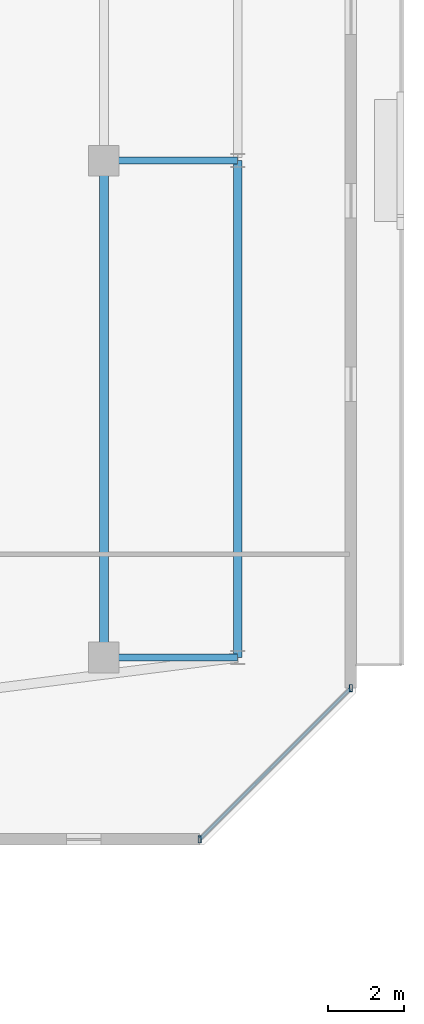
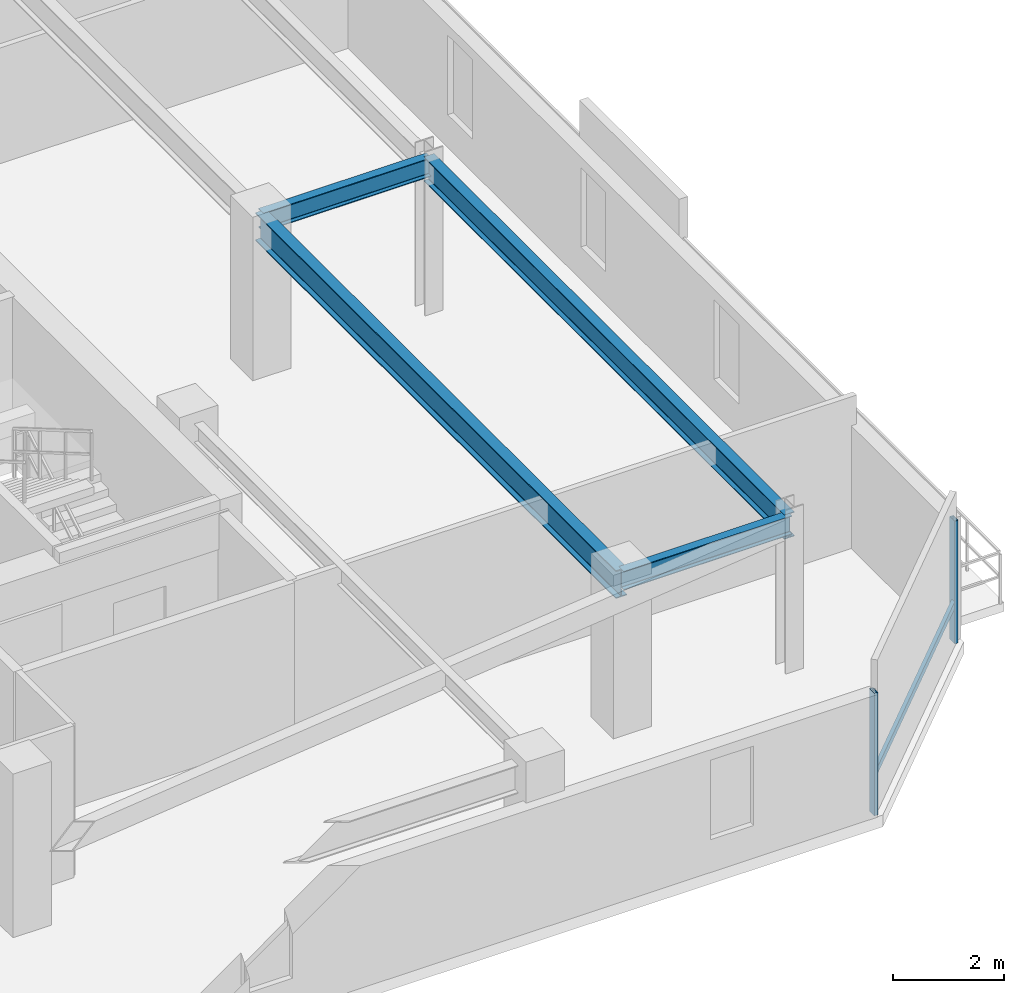
# One storey, part 16 of 34: 4 beams, 3 members, 1 element without a shape of its own.
"""IFC4 building model written with IfcOpenShell, lengths in metres."""

import ifcopenshell
import ifcopenshell.guid

model = None  # the IFC model being written
_history = None  # IfcOwnerHistory: only IFC2X3 demands one
_inside = {}  # id of a spatial element -> (the spatial element, [elements in it])
_under = {}  # id of a project, library or spatial element -> (it, [spatial elements below it])
_declared = {}  # id of a project -> (the project, [libraries it declares])
_typed = {}  # id of a type object -> (the type object, [elements of that type])
_made_of = {}  # id of a material, layer set ... -> (it, [elements and type objects made of it])


def new_model(schema):
    """Start an empty IFC model of exactly this schema.

    Asked for "IFC4X3", IfcOpenShell would pick the latest addendum, in which some entities
    have other attributes; the version numbers below select the first issue.
    IFC2X3 requires an IfcOwnerHistory on every rooted entity: one is made here for all.
    """
    global model, _history
    if schema == "IFC4X3":
        model = ifcopenshell.file(schema_version=(4, 3, 0, 0))
    else:
        model = ifcopenshell.file(schema=schema)
    _inside.clear()
    _under.clear()
    _declared.clear()
    _typed.clear()
    _made_of.clear()
    _history = None
    if model.schema == "IFC2X3":
        org = make("IfcOrganization", Name="unknown")
        user = make(
            "IfcPersonAndOrganization",
            ThePerson=make("IfcPerson", FamilyName="unknown"),
            TheOrganization=org,
        )
        app = make(
            "IfcApplication",
            ApplicationDeveloper=org,
            Version="unknown",
            ApplicationFullName="unknown",
            ApplicationIdentifier="unknown",
        )
        _history = make(
            "IfcOwnerHistory",
            OwningUser=user,
            OwningApplication=app,
            ChangeAction="ADDED",
            CreationDate=0,
        )
    return model


def make(cls, **values):
    """One entity of the class cls with the attributes given. An attribute that is None is left unset."""
    return model.create_entity(
        cls, **{name: value for name, value in values.items() if value is not None}
    )


def rooted(cls, **values):
    """An entity with a GlobalId (a new one), such as an element, a storey or a relation."""
    return make(cls, GlobalId=ifcopenshell.guid.new(), OwnerHistory=_history, **values)


def si_unit(unit_type, name, prefix=None):
    """IfcSIUnit, for example si_unit("LENGTHUNIT", "METRE", prefix="MILLI")."""
    return make("IfcSIUnit", UnitType=unit_type, Prefix=prefix, Name=name)


def assignment(units):
    """IfcUnitAssignment: the units of a project."""
    return None if units is None else make("IfcUnitAssignment", Units=units)


def point(xyz):
    """IfcCartesianPoint."""
    return None if xyz is None else make("IfcCartesianPoint", Coordinates=xyz)


def direction(xyz):
    """IfcDirection."""
    return None if xyz is None else make("IfcDirection", DirectionRatios=xyz)


def frame(location, z_axis=None, x_axis=None):
    """IfcAxis2Placement3D, a coordinate frame: its origin and axes. An axis left out is left unset."""
    return make(
        "IfcAxis2Placement3D",
        Location=point(location),
        Axis=direction(z_axis),
        RefDirection=direction(x_axis),
    )


def frame_2d(location, x_axis=None):
    """IfcAxis2Placement2D, a coordinate frame in the plane: its origin and x axis."""
    return make(
        "IfcAxis2Placement2D", Location=point(location), RefDirection=direction(x_axis)
    )


def origin():
    """The frame at (0, 0, 0) with its axes left unset."""
    return frame((0.0, 0.0, 0.0))


def origin_2d():
    """The frame at (0, 0) in the plane with its x axis left unset."""
    return frame_2d((0.0, 0.0))


def place(relative_to, where):
    """IfcLocalPlacement: puts the frame where relative to a parent placement (None: the world)."""
    return make(
        "IfcLocalPlacement", PlacementRelTo=relative_to, RelativePlacement=where
    )


def context(
    kind, dimensions, precision=None, world=None, true_north=None, identifier=None
):
    """IfcGeometricRepresentationContext, for example the 3D "Model" context."""
    return make(
        "IfcGeometricRepresentationContext",
        ContextIdentifier=identifier,
        ContextType=kind,
        CoordinateSpaceDimension=dimensions,
        Precision=precision,
        WorldCoordinateSystem=world,
        TrueNorth=true_north,
    )


def subcontext(parent, identifier, kind, view, scale=None):
    """IfcGeometricRepresentationSubContext, for example "Body" below "Model"."""
    return make(
        "IfcGeometricRepresentationSubContext",
        ContextIdentifier=identifier,
        ContextType=kind,
        ParentContext=parent,
        TargetScale=scale,
        TargetView=view,
    )


def project(units=None, contexts=None):
    """IfcProject with its units and contexts."""
    return rooted(
        "IfcProject",
        Name="project",
        RepresentationContexts=contexts,
        UnitsInContext=assignment(units),
    )


def spatial(cls, under=None, at=None, **own):
    """A site, building, storey or space (cls), placed at a placement, below another one or the project."""
    s = rooted(cls, ObjectPlacement=at, **own)
    if under is not None:
        _under.setdefault(under.id(), (under, []))[1].append(s)
    return s


def profile(cls, at=None, kind="AREA", **sizes):
    """A parametric profile (cls). Its sizes go by their IFC names, for example OverallWidth=200.0."""
    return make(cls, ProfileType=kind, Position=at, **sizes)


def hollow_rectangle(**sizes):
    """IfcRectangleHollowProfileDef."""
    return profile("IfcRectangleHollowProfileDef", **sizes)


def i_section(**sizes):
    """IfcIShapeProfileDef."""
    return profile("IfcIShapeProfileDef", **sizes)


def extrude(swept, where, along, depth):
    """IfcExtrudedAreaSolid: the profile swept, set in the frame where, extruded along a direction by depth."""
    return make(
        "IfcExtrudedAreaSolid",
        SweptArea=swept,
        Position=where,
        ExtrudedDirection=direction(along),
        Depth=depth,
    )


def shape(context_of_items, identifier, shape_type, items):
    """IfcShapeRepresentation: the items that make up one representation, for example the "Body"."""
    return make(
        "IfcShapeRepresentation",
        ContextOfItems=context_of_items,
        RepresentationIdentifier=identifier,
        RepresentationType=shape_type,
        Items=items,
    )


def material(Name=None, Category=None):
    """IfcMaterial."""
    return make("IfcMaterial", Name=Name, Category=Category)


def material_profile(
    of_material, cross_section, Name=None, Category=None, Priority=None
):
    """IfcMaterialProfile: a cross section and its material."""
    return make(
        "IfcMaterialProfile",
        Name=Name,
        Material=of_material,
        Profile=cross_section,
        Priority=Priority,
        Category=Category,
    )


def profile_set(profiles, Name=None, composite=None):
    """IfcMaterialProfileSet."""
    return make(
        "IfcMaterialProfileSet",
        Name=Name,
        MaterialProfiles=profiles,
        CompositeProfile=composite,
    )


def made_of(thing, what):
    """Note that an element or type object is made of a material, layer set ...; save() writes the relation."""
    if what is not None:
        _made_of.setdefault(what.id(), (what, []))[1].append(thing)
    return thing


def type_object(cls, material=None, **own):
    """A type object (cls), such as IfcWallType, which elements share."""
    return made_of(rooted(cls, **own), material)


def element(
    cls,
    number,
    at=None,
    inside=None,
    cuts=None,
    type_object=None,
    material=None,
    context=None,
    identifier="Body",
    shape_type=None,
    held_by="IfcProductDefinitionShape",
    body=None,
    shapes=None,
    **own,
):
    """One element of the class cls, such as IfcWall. Its Tag is "e" and its number.

    at: its placement. inside: the storey or other place that contains it. cuts: it is an
    opening in that element (IfcRelVoidsElement). A single representation is given by context,
    identifier, shape_type and body (its items); several are given by shapes. held_by: the class
    of the entity that holds the representations. save() writes the other relations.
    """
    e = rooted(cls, Tag="e%d" % number, ObjectPlacement=at, **own)
    if body is not None:
        shapes = [shape(context, identifier, shape_type, body)]
    if shapes is not None:
        e.Representation = make(held_by, Representations=shapes)
    if inside is not None:
        _inside.setdefault(inside.id(), (inside, []))[1].append(e)
    if cuts is not None:
        rooted(
            "IfcRelVoidsElement", RelatingBuildingElement=cuts, RelatedOpeningElement=e
        )
    if type_object is not None:
        _typed.setdefault(type_object.id(), (type_object, []))[1].append(e)
    return made_of(e, material)


def aggregate(whole, parts):
    """IfcRelAggregates: a whole, such as a stair, and the parts it consists of."""
    return rooted("IfcRelAggregates", RelatingObject=whole, RelatedObjects=parts)


def save(model, path):
    """Write the relations noted so far, then the file.

    IfcRelAggregates (storeys below a building ...), IfcRelContainedInSpatialStructure (elements
    in a storey), IfcRelDefinesByType, IfcRelAssociatesMaterial and IfcRelDeclares: one each for
    every whole, place, type object, material and project.
    """
    for whole, parts in _under.values():
        aggregate(whole, parts)
    for where, things in _inside.values():
        rooted(
            "IfcRelContainedInSpatialStructure",
            RelatedElements=things,
            RelatingStructure=where,
        )
    for kind, things in _typed.values():
        rooted("IfcRelDefinesByType", RelatedObjects=things, RelatingType=kind)
    for what, things in _made_of.values():
        rooted("IfcRelAssociatesMaterial", RelatedObjects=things, RelatingMaterial=what)
    for by, libraries in _declared.values():
        rooted("IfcRelDeclares", RelatingContext=by, RelatedDefinitions=libraries)
    model.write(path)


model = new_model("IFC4")

# Units and contexts
model_context = context("Model", 3, precision=1e-05, world=origin(), true_north=direction((0.0, 1.0)))
body_context = subcontext(model_context, "Body", "Model", "MODEL_VIEW")
ifc_project = project(units=[si_unit("LENGTHUNIT", "METRE"), si_unit("AREAUNIT", "SQUARE_METRE"), si_unit("VOLUMEUNIT", "CUBIC_METRE"), si_unit("PLANEANGLEUNIT", "RADIAN"), si_unit("MASSUNIT", "GRAM", prefix="KILO")], contexts=[model_context])

# Site, building, storey
site_placement = place(None, origin())
site = spatial("IfcSite", under=ifc_project, at=site_placement, CompositionType="ELEMENT")
building_placement = place(site_placement, origin())
building = spatial("IfcBuilding", under=site, at=building_placement, Name="Thornwick Lancets Civic Towers", CompositionType="ELEMENT")
storey_placement = place(building_placement, frame((0.0, 0.0, 258.300048828125)))
storey = spatial("IfcBuildingStorey", under=building, at=storey_placement, Name="L69", CompositionType="ELEMENT", Elevation=258.300048828125)

# Beams
ifc_material_1 = material(Name="Steel S355JR", Category="steel")
ifc_material_profile_1 = material_profile(ifc_material_1, i_section(OverallWidth=0.210693359375, OverallDepth=0.53955078125, WebThickness=0.01171875, FlangeThickness=0.018798828125, FilletRadius=0.0126953125, at=origin_2d()), Name="UKB 533x210x109")
ifc_profile_set_1 = profile_set([ifc_material_profile_1], Name="Steel S355JR")
beam_type_1 = type_object("IfcBeamType", Name="BM_EDGE_533_109", PredefinedType="SPANDREL", material=ifc_profile_set_1)
beam_1_placement = place(storey_placement, frame((109.300048828125, 14.0, 3.09033203125), z_axis=(0.0, 1.0, 0.0), x_axis=(-1.0, 0.0, 0.0)))
element("IfcBeam", 1, at=beam_1_placement, inside=storey, type_object=beam_type_1, Name="BM-EDGE-L69-B-S0-1", PredefinedType="SPANDREL", context=body_context, shape_type="SweptSolid", body=[
    extrude(i_section(OverallWidth=0.210693359375, OverallDepth=0.53955078125, WebThickness=0.01171875, FlangeThickness=0.018798828125, FilletRadius=0.0126953125, at=origin_2d()), origin(), (0.0, 0.0, 1.0), 13.0),
])
ifc_material_profile_2 = material_profile(ifc_material_1, i_section(OverallWidth=0.230224609375, OverallDepth=0.6171875, WebThickness=0.01318359375, FlangeThickness=0.022216796875, FilletRadius=0.0126953125, at=origin_2d()), Name="UKB 610x229x140")
ifc_profile_set_2 = profile_set([ifc_material_profile_2], Name="Steel S355JR")
beam_type_2 = type_object("IfcBeamType", Name="BM_GIRD_610_140", PredefinedType="BEAM", material=ifc_profile_set_2)
beam_2_placement = place(storey_placement, frame((105.800048828125, 14.0, 3.05126953125), z_axis=(0.0, 1.0, 0.0), x_axis=(-1.0, 0.0, 0.0)))
element("IfcBeam", 2, at=beam_2_placement, inside=storey, type_object=beam_type_2, Name="BM-SPINE-L69-B-0-1", PredefinedType="BEAM", context=body_context, shape_type="SweptSolid", body=[
    extrude(i_section(OverallWidth=0.230224609375, OverallDepth=0.6171875, WebThickness=0.01318359375, FlangeThickness=0.022216796875, FilletRadius=0.0126953125, at=origin_2d()), origin(), (0.0, 0.0, 1.0), 13.0),
])
ifc_material_profile_3 = material_profile(ifc_material_1, i_section(OverallWidth=0.179443359375, OverallDepth=0.412841796875, WebThickness=0.009521484375, FlangeThickness=0.01611328125, FilletRadius=0.01025390625, at=origin_2d()), Name="UKB 406x178x74")
ifc_profile_set_3 = profile_set([ifc_material_profile_3], Name="Steel S355JR")
beam_type_3 = type_object("IfcBeamType", Name="BM_JOIST_406_74", PredefinedType="JOIST", material=ifc_profile_set_3)
for number, where, z_axis, x_axis, name in (
    (3, (105.800048828125, 14.0, 3.153564453125), (1.0, 0.0, 0.0), (0.0, 1.0, 0.0), "BM-RAD-L69-B01"),
    (4, (105.800048828125, 27.0, 3.153564453125), (1.0, 0.0, 0.0), (0.0, 1.0, 0.0), "BM-RAD-L69-B02"),
):
    element("IfcBeam", number, at=place(storey_placement, frame(where, z_axis=z_axis, x_axis=x_axis)), inside=storey, type_object=beam_type_3, Name=name, PredefinedType="JOIST", context=body_context, shape_type="SweptSolid", body=[
        extrude(i_section(OverallWidth=0.179443359375, OverallDepth=0.412841796875, WebThickness=0.009521484375, FlangeThickness=0.01611328125, FilletRadius=0.01025390625, at=origin_2d()), origin(), (0.0, 0.0, 1.0), 3.5),
    ])

# Curtain wall, members
ifc_material_2 = material(Name="High-zone chamfered-corner unitised glass curtain wall", Category="glass")
curtain_wall_type = type_object("IfcCurtainWallType", Name="CW_SYS_05", PredefinedType="NOTDEFINED", material=ifc_material_2)
curtain_wall_placement = place(storey_placement, origin())
curtain_wall = element("IfcCurtainWall", 5, at=curtain_wall_placement, inside=storey, type_object=curtain_wall_type, Name="L69 Curtain Wall CW-L69-B-E1", PredefinedType="NOTDEFINED")
ifc_material_3 = material(Name="Thermally broken bronze aluminium S355", Category="steel")
ifc_material_profile_4 = material_profile(ifc_material_3, hollow_rectangle(XDim=0.074951171875, YDim=0.179931640625, WallThickness=0.006103515625, at=origin_2d()), Name="RHS 180x75x6")
ifc_profile_set_4 = profile_set([ifc_material_profile_4], Name="Thermally broken bronze aluminium S355")
member_type_1 = type_object("IfcMemberType", Name="CW_MUL_180", PredefinedType="MULLION", material=ifc_profile_set_4)
member_1_placement = place(storey_placement, frame((108.3017578125, 9.239990234375, 0.0), z_axis=(0.0, 0.0, 1.0), x_axis=(1.0, 0.0, 0.0)))
member_1 = element("IfcMember", 6, at=member_1_placement, type_object=member_type_1, Name="CW-L69-B-E1 Mullion 0", PredefinedType="MULLION", context=body_context, shape_type="SweptSolid", body=[
    extrude(hollow_rectangle(XDim=0.074951171875, YDim=0.179931640625, WallThickness=0.006103515625, at=origin_2d()), origin(), (0.0, 0.0, 1.0), 2.699951171875),
])
member_2_placement = place(storey_placement, frame((112.260009765625, 13.1982421875, 0.0), z_axis=(0.0, 0.0, 1.0), x_axis=(1.0, 0.0, 0.0)))
member_2 = element("IfcMember", 7, at=member_2_placement, type_object=member_type_1, Name="CW-L69-B-E1 Mullion 1", PredefinedType="MULLION", context=body_context, shape_type="SweptSolid", body=[
    extrude(hollow_rectangle(XDim=0.074951171875, YDim=0.179931640625, WallThickness=0.006103515625, at=origin_2d()), origin(), (0.0, 0.0, 1.0), 2.699951171875),
])
ifc_material_profile_5 = material_profile(ifc_material_3, hollow_rectangle(XDim=0.074951171875, YDim=0.14990234375, WallThickness=0.0048828125, at=origin_2d()), Name="RHS 150x75x5")
ifc_profile_set_5 = profile_set([ifc_material_profile_5], Name="Thermally broken bronze aluminium S355")
member_type_2 = type_object("IfcMemberType", Name="CW_TRN_150", PredefinedType="USERDEFINED", material=ifc_profile_set_5)
member_3_placement = place(storey_placement, frame((108.31591796875, 9.25390625, 0.849853515625), z_axis=(0.707106781187, 0.707106781187, 0.0), x_axis=(-0.707106781187, 0.707106781187, 0.0)))
member_3 = element("IfcMember", 8, at=member_3_placement, type_object=member_type_2, Name="CW-L69-B-E1 Transom 0", ObjectType="TRANSOM", PredefinedType="USERDEFINED", context=body_context, shape_type="SweptSolid", body=[
    extrude(hollow_rectangle(XDim=0.074951171875, YDim=0.14990234375, WallThickness=0.0048828125, at=origin_2d()), origin(), (0.0, 0.0, 1.0), 5.55810546875),
])
aggregate(curtain_wall, [member_1, member_2, member_3])

save(model, "model.ifc")
